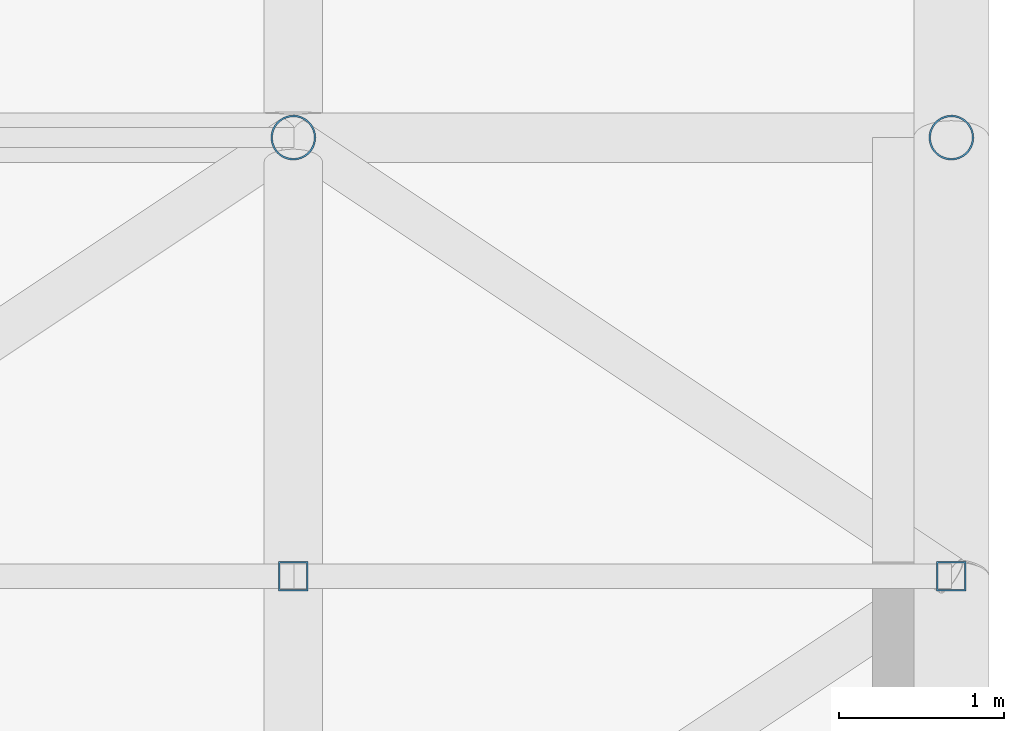
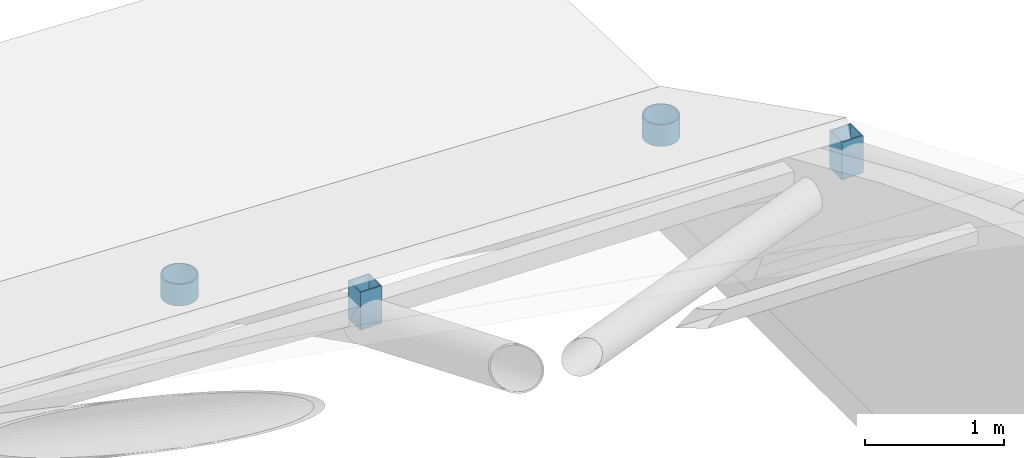
# One storey, part 46 of 72: 4 members.
"""IFC4 building model written with IfcOpenShell, lengths in metres."""

from ifc_helpers import new_model, si_unit, direction, frame, origin, origin_2d, place, context, subcontext, project, spatial, hollow_rectangle, hollow_circle, extrude, material, material_profile, profile_set, type_object, element, save


model = new_model("IFC4")

# Units and contexts
model_context = context("Model", 3, precision=1e-05, world=origin(), true_north=direction((0.0, 1.0)))
body_context = subcontext(model_context, "Body", "Model", "MODEL_VIEW")
ifc_project = project(units=[si_unit("LENGTHUNIT", "METRE"), si_unit("AREAUNIT", "SQUARE_METRE"), si_unit("VOLUMEUNIT", "CUBIC_METRE"), si_unit("PLANEANGLEUNIT", "RADIAN"), si_unit("MASSUNIT", "GRAM", prefix="KILO")], contexts=[model_context])

# Site, building, storey
site_placement = place(None, origin())
site = spatial("IfcSite", under=ifc_project, at=site_placement, CompositionType="ELEMENT")
building_placement = place(site_placement, origin())
building = spatial("IfcBuilding", under=site, at=building_placement, Name="Tenunan Teduh Sports Hall", CompositionType="ELEMENT")
storey_placement = place(building_placement, frame((0.0, 0.0, 15.0)))
storey = spatial("IfcBuildingStorey", under=building, at=storey_placement, Name="L03", CompositionType="ELEMENT", Elevation=15.0)

# Members
ifc_material_1 = material(Name="Steel S355", Category="steel")
ifc_material_profile_1 = material_profile(ifc_material_1, hollow_circle(Radius=0.136474609375, WallThickness=0.010009765625, at=origin_2d()), Name="CHS 273.0x10.0")
ifc_profile_set_1 = profile_set([ifc_material_profile_1], Name="Steel S355")
member_type_1 = type_object("IfcMemberType", Name="MEM-ST-CHS273", PredefinedType="STRUT", material=ifc_profile_set_1)
for number, where, z_axis, x_axis, name in (
    (1, (166.0, 46.0, -0.35009765625), (0.0, 0.0, 1.0), (1.0, 0.0, 0.0), "MEM-VS-04-L03-0081"),
    (2, (170.0, 46.0, -0.35009765625), (0.0, 0.0, 1.0), (1.0, 0.0, 0.0), "MEM-VS-04-L03-0089"),
):
    element("IfcMember", number, at=place(storey_placement, frame(where, z_axis=z_axis, x_axis=x_axis)), inside=storey, type_object=member_type_1, Name=name, PredefinedType="STRUT", context=body_context, shape_type="SweptSolid", body=[
        extrude(hollow_circle(Radius=0.136474609375, WallThickness=0.010009765625, at=origin_2d()), origin(), (0.0, 0.0, 1.0), 0.190185546875),
    ])
ifc_material_2 = material(Name="Steel S355", Category="steel")
ifc_material_profile_2 = material_profile(ifc_material_2, hollow_rectangle(XDim=0.179931640625, YDim=0.179931640625, WallThickness=0.010009765625, at=origin_2d()), Name="SHS 180x180x10.0")
ifc_profile_set_2 = profile_set([ifc_material_profile_2], Name="Steel S355")
member_type_2 = type_object("IfcMemberType", Name="MEM-ST-SHS180", PredefinedType="STRUT", material=ifc_profile_set_2)
for number, where, z_axis, x_axis, name in (
    (3, (166.0, 43.333251953125, 1.0458984375), (0.0, 0.0, 1.0), (1.0, 0.0, 0.0), "MEM-VS-03-L03-0087"),
    (4, (170.0, 43.333251953125, 0.9638671875), (0.0, 0.0, 1.0), (1.0, 0.0, 0.0), "MEM-VS-03-L03-0095"),
):
    element("IfcMember", number, at=place(storey_placement, frame(where, z_axis=z_axis, x_axis=x_axis)), inside=storey, type_object=member_type_2, Name=name, PredefinedType="STRUT", context=body_context, shape_type="SweptSolid", body=[
        extrude(hollow_rectangle(XDim=0.179931640625, YDim=0.179931640625, WallThickness=0.010009765625, at=origin_2d()), origin(), (0.0, 0.0, 1.0), 0.329833984375),
    ])

save(model, "model.ifc")
